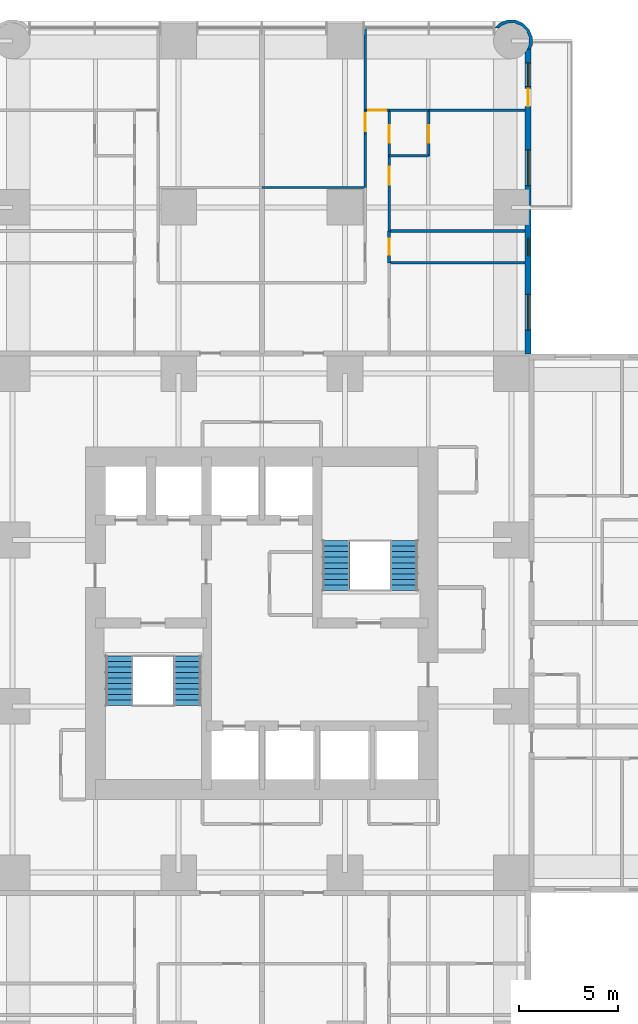
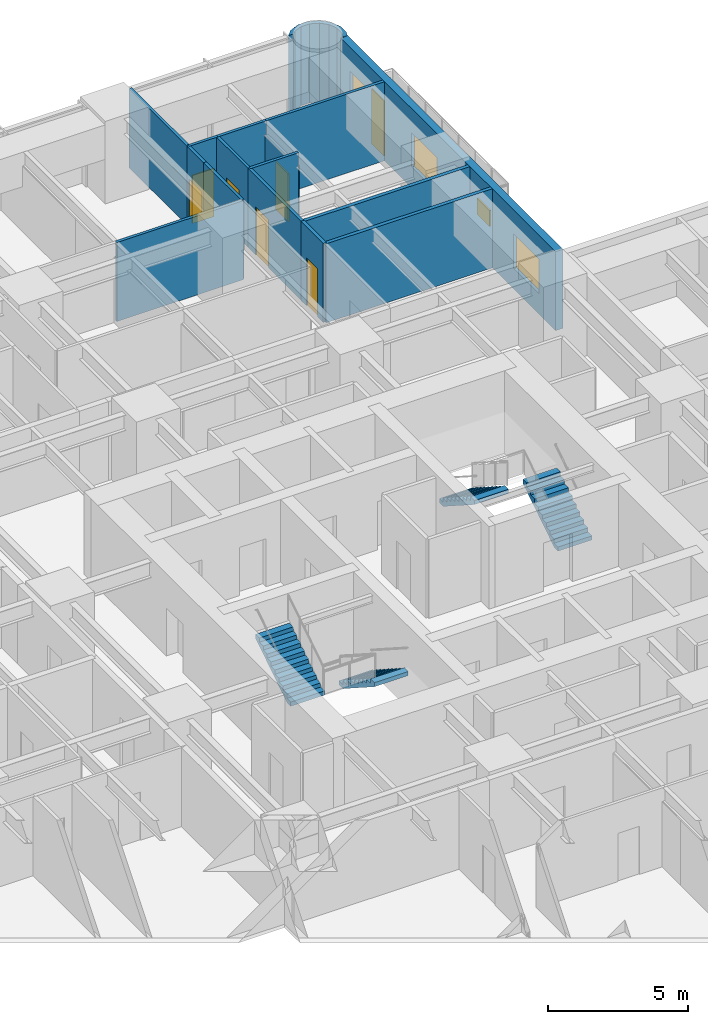
# One storey, part 15 of 17: 16 walls, 7 doors, 4 stair flights, 4 windows, 11 openings, 2 elements without a shape of their own.
"""IFC4 building model written with IfcOpenShell, lengths in metres."""

from ifc_helpers import new_model, si_unit, direction, frame, frame_2d, origin, place, context, subcontext, project, spatial, polyline, rectangle, outline, extrude, material, layer, layer_set, type_object, element, fill, aggregate, save


model = new_model("IFC4")

# Units and contexts
model_context = context("Model", 3, precision=1e-05, world=origin(), true_north=direction((0.0, 1.0)))
body_context = subcontext(model_context, "Body", "Model", "MODEL_VIEW")
ifc_project = project(units=[si_unit("LENGTHUNIT", "METRE"), si_unit("AREAUNIT", "SQUARE_METRE"), si_unit("VOLUMEUNIT", "CUBIC_METRE"), si_unit("PLANEANGLEUNIT", "RADIAN"), si_unit("MASSUNIT", "GRAM", prefix="KILO")], contexts=[model_context])

# Site, building, storey
site_placement = place(None, origin())
site = spatial("IfcSite", under=ifc_project, at=site_placement, CompositionType="ELEMENT")
building_placement = place(site_placement, origin())
building = spatial("IfcBuilding", under=site, at=building_placement, Name="Torre Alcanfor", CompositionType="ELEMENT")
storey_placement = place(building_placement, frame((0.0, 0.0, 56.10009765625)))
storey = spatial("IfcBuildingStorey", under=building, at=storey_placement, Name="L13", CompositionType="ELEMENT", Elevation=56.10009765625)

# Walls
ifc_material_1 = material(Name="Gypsum board on steel studs", Category="steel")
ifc_layer_1 = layer(ifc_material_1, 0.1201171875)
ifc_layer_set_1 = layer_set([ifc_layer_1], Name="Apartment partition 120")
wall_type_1 = type_object("IfcWallType", Name="Apartment partition 120", PredefinedType="PARTITIONING", material=ifc_layer_set_1)
wall_1_placement = place(storey_placement, frame((29.39990234375, 51.39990234375, 0.0), z_axis=(0.0, 0.0, 1.0), x_axis=(1.0, 0.0, 0.0)))
element("IfcWall", 1, at=wall_1_placement, inside=storey, type_object=wall_type_1, Name="Partition L13-N2-FAMILY / L13-N2-KITCHEN", PredefinedType="PARTITIONING", context=body_context, shape_type="SweptSolid", body=[
    extrude(rectangle(XDim=5.22900390625, YDim=0.1201171875, at=frame_2d((2.614501953125, 0.0))), origin(), (0.0, 0.0, 1.0), 3.449951171875),
])
wall_2_placement = place(storey_placement, frame((34.62890625, 54.10009765625, 0.0), z_axis=(0.0, 0.0, 1.0), x_axis=(0.0, -1.0, 0.0)))
element("IfcWall", 2, at=wall_2_placement, inside=storey, type_object=wall_type_1, Name="Partition L13-N2-KITCHEN / L13-N2-HALL", PredefinedType="PARTITIONING", context=body_context, shape_type="SweptSolid", body=[
    extrude(rectangle(XDim=2.7001953125, YDim=0.1201171875, at=frame_2d((1.35009765625, 0.0))), origin(), (0.0, 0.0, 1.0), 3.449951171875),
])

# Wall, opening, door
wall_3_placement = place(storey_placement, frame((34.62890625, 55.300048828125, 0.0), z_axis=(0.0, 0.0, 1.0), x_axis=(0.0, -1.0, 0.0)))
wall_3 = element("IfcWall", 3, at=wall_3_placement, inside=storey, type_object=wall_type_1, Name="Partition L13-N2-LIVING / L13-N2-HALL", PredefinedType="PARTITIONING", context=body_context, shape_type="SweptSolid", body=[
    extrude(rectangle(XDim=1.199951171875, YDim=0.1201171875, at=frame_2d((0.60009765625, 0.0))), origin(), (0.0, 0.0, 1.0), 3.449951171875),
])
opening_1_placement = place(wall_3_placement, frame((0.14990234375, 0.0, 0.0)))
opening_1 = element("IfcOpeningElement", 4, at=opening_1_placement, cuts=wall_3, Name="Opening D-R1", PredefinedType="OPENING", context=body_context, shape_type="SweptSolid", body=[
    extrude(rectangle(XDim=0.89990234375, YDim=2.10009765625, at=frame_2d((0.449951171875, 1.050048828125))), frame((0.0, 0.070068359375, 0.0), z_axis=(0.0, -1.0, 0.0), x_axis=(1.0, 0.0, 0.0)), (0.0, 0.0, 1.0), 0.14013671875),
])
ifc_material_2 = material(Name="Timber", Category="wood")
door_type_1 = type_object("IfcDoorType", Name="Internal door 900x2100", OperationType="SINGLE_SWING_LEFT", PredefinedType="DOOR", material=ifc_material_2)
door_1_placement = place(opening_1_placement, frame((0.89990234375, 0.0, 0.0), z_axis=(0.0, 0.0, 1.0), x_axis=(-1.0, 0.0, 0.0)))
door_1 = element("IfcDoor", 5, at=door_1_placement, inside=storey, type_object=door_type_1, Name="Door L13-N2 living", OperationType="SINGLE_SWING_LEFT", OverallHeight=2.10009765625, OverallWidth=0.89990234375, PredefinedType="DOOR", context=body_context, shape_type="SweptSolid", body=[
    extrude(rectangle(XDim=0.89990234375, YDim=2.10009765625, at=frame_2d((0.449951171875, 1.050048828125))), frame((0.0, 0.025146484375, 0.0), z_axis=(0.0, -1.0, 0.0), x_axis=(1.0, 0.0, 0.0)), (0.0, 0.0, 1.0), 0.050048828125),
])
fill(opening_1, door_1)

# Wall
wall_4_placement = place(storey_placement, frame((34.62890625, 59.449951171875, 0.0), z_axis=(0.0, 0.0, 1.0), x_axis=(0.0, -1.0, 0.0)))
element("IfcWall", 6, at=wall_4_placement, inside=storey, type_object=wall_type_1, Name="Partition L13-N2-LIVING / L13-N2-WGARD", PredefinedType="PARTITIONING", context=body_context, shape_type="SweptSolid", body=[
    extrude(rectangle(XDim=4.14990234375, YDim=0.1201171875, at=frame_2d((2.074951171875, 0.0))), origin(), (0.0, 0.0, 1.0), 3.449951171875),
])

# Wall, opening, door
wall_5_placement = place(storey_placement, frame((35.8291015625, 53.0, 0.0), z_axis=(0.0, 0.0, 1.0), x_axis=(0.0, -1.0, 0.0)))
wall_5 = element("IfcWall", 7, at=wall_5_placement, inside=storey, type_object=wall_type_1, Name="Partition L13-N2-HALL / L13-N2-MASTER", PredefinedType="PARTITIONING", context=body_context, shape_type="SweptSolid", body=[
    extrude(rectangle(XDim=3.800048828125, YDim=0.1201171875, at=frame_2d((1.89990234375, 0.0))), origin(), (0.0, 0.0, 1.0), 3.449951171875),
])
opening_2_placement = place(wall_5_placement, frame((0.550048828125, 0.0, 0.0)))
opening_2 = element("IfcOpeningElement", 8, at=opening_2_placement, cuts=wall_5, Name="Opening D-R1", PredefinedType="OPENING", context=body_context, shape_type="SweptSolid", body=[
    extrude(rectangle(XDim=0.89990234375, YDim=2.10009765625, at=frame_2d((0.449951171875, 1.050048828125))), frame((0.0, 0.070068359375, 0.0), z_axis=(0.0, -1.0, 0.0), x_axis=(1.0, 0.0, 0.0)), (0.0, 0.0, 1.0), 0.14013671875),
])
door_2_placement = place(opening_2_placement, origin())
door_2 = element("IfcDoor", 9, at=door_2_placement, inside=storey, type_object=door_type_1, Name="Door L13-N2 master", OperationType="SINGLE_SWING_LEFT", OverallHeight=2.10009765625, OverallWidth=0.89990234375, PredefinedType="DOOR", context=body_context, shape_type="SweptSolid", body=[
    extrude(rectangle(XDim=0.89990234375, YDim=2.10009765625, at=frame_2d((0.449951171875, 1.050048828125))), frame((0.0, 0.02490234375, 0.0), z_axis=(0.0, -1.0, 0.0), x_axis=(1.0, 0.0, 0.0)), (0.0, 0.0, 1.0), 0.050048828125),
])
fill(opening_2, door_2)

wall_6_placement = place(storey_placement, frame((35.8291015625, 55.300048828125, 0.0), z_axis=(0.0, 0.0, 1.0), x_axis=(0.0, -1.0, 0.0)))
wall_6 = element("IfcWall", 10, at=wall_6_placement, inside=storey, type_object=wall_type_1, Name="Partition L13-N2-HALL / L13-N2-VEST", PredefinedType="PARTITIONING", context=body_context, shape_type="SweptSolid", body=[
    extrude(rectangle(XDim=2.300048828125, YDim=0.1201171875, at=frame_2d((1.14990234375, 0.0))), origin(), (0.0, 0.0, 1.0), 3.449951171875),
])
opening_3_placement = place(wall_6_placement, frame((0.75, 0.0, 0.0)))
opening_3 = element("IfcOpeningElement", 11, at=opening_3_placement, cuts=wall_6, Name="Opening D-R1", PredefinedType="OPENING", context=body_context, shape_type="SweptSolid", body=[
    extrude(rectangle(XDim=0.89990234375, YDim=2.10009765625, at=frame_2d((0.449951171875, 1.050048828125))), frame((0.0, 0.070068359375, 0.0), z_axis=(0.0, -1.0, 0.0), x_axis=(1.0, 0.0, 0.0)), (0.0, 0.0, 1.0), 0.14013671875),
])
door_3_placement = place(opening_3_placement, origin())
door_3 = element("IfcDoor", 12, at=door_3_placement, inside=storey, type_object=door_type_1, Name="Door L13-N2 vest", OperationType="SINGLE_SWING_RIGHT", OverallHeight=2.10009765625, OverallWidth=0.89990234375, PredefinedType="DOOR", context=body_context, shape_type="SweptSolid", body=[
    extrude(rectangle(XDim=0.89990234375, YDim=2.10009765625, at=frame_2d((0.449951171875, 1.050048828125))), frame((0.0, 0.02490234375, 0.0), z_axis=(0.0, -1.0, 0.0), x_axis=(1.0, 0.0, 0.0)), (0.0, 0.0, 1.0), 0.050048828125),
])
fill(opening_3, door_3)

wall_7_placement = place(storey_placement, frame((34.62890625, 55.300048828125, 0.0), z_axis=(0.0, 0.0, 1.0), x_axis=(1.0, 0.0, 0.0)))
wall_7 = element("IfcWall", 13, at=wall_7_placement, inside=storey, type_object=wall_type_1, Name="Partition L13-N2-HALL / L13-N2-WGARD", PredefinedType="PARTITIONING", context=body_context, shape_type="SweptSolid", body=[
    extrude(rectangle(XDim=1.2001953125, YDim=0.1201171875, at=frame_2d((0.60009765625, 0.0))), origin(), (0.0, 0.0, 1.0), 3.449951171875),
])
opening_4_placement = place(wall_7_placement, frame((0.15087890625, 0.0, 0.0)))
opening_4 = element("IfcOpeningElement", 14, at=opening_4_placement, cuts=wall_7, Name="Opening D-R1", PredefinedType="OPENING", context=body_context, shape_type="SweptSolid", body=[
    extrude(rectangle(XDim=0.89990234375, YDim=2.10009765625, at=frame_2d((0.449951171875, 1.050048828125))), frame((0.0, 0.070068359375, 0.0), z_axis=(0.0, -1.0, 0.0), x_axis=(1.0, 0.0, 0.0)), (0.0, 0.0, 1.0), 0.14013671875),
])
door_4_placement = place(opening_4_placement, origin())
door_4 = element("IfcDoor", 15, at=door_4_placement, inside=storey, type_object=door_type_1, Name="Door L13-N2 wgard", OperationType="SINGLE_SWING_LEFT", OverallHeight=2.10009765625, OverallWidth=0.89990234375, PredefinedType="DOOR", context=body_context, shape_type="SweptSolid", body=[
    extrude(rectangle(XDim=0.89990234375, YDim=2.10009765625, at=frame_2d((0.449951171875, 1.050048828125))), frame((0.0, 0.02490234375, 0.0), z_axis=(0.0, -1.0, 0.0), x_axis=(1.0, 0.0, 0.0)), (0.0, 0.0, 1.0), 0.050048828125),
])
fill(opening_4, door_4)

# Wall
wall_8_placement = place(storey_placement, frame((35.8291015625, 53.0, 0.0), z_axis=(0.0, 0.0, 1.0), x_axis=(1.0, 0.0, 0.0)))
element("IfcWall", 16, at=wall_8_placement, inside=storey, type_object=wall_type_1, Name="Partition L13-N2-MASTER / L13-N2-VEST", PredefinedType="PARTITIONING", context=body_context, shape_type="SweptSolid", body=[
    extrude(rectangle(XDim=2.0, YDim=0.1201171875, at=frame_2d((1.0, 0.0))), origin(), (0.0, 0.0, 1.0), 3.449951171875),
])

# Wall, opening, door
wall_9_placement = place(storey_placement, frame((37.8291015625, 53.0, 0.0), z_axis=(0.0, 0.0, 1.0), x_axis=(0.0, 1.0, 0.0)))
wall_9 = element("IfcWall", 17, at=wall_9_placement, inside=storey, type_object=wall_type_1, Name="Partition L13-N2-MASTER / L13-N2-VEST", PredefinedType="PARTITIONING", context=body_context, shape_type="SweptSolid", body=[
    extrude(rectangle(XDim=2.300048828125, YDim=0.1201171875, at=frame_2d((1.14990234375, 0.0))), origin(), (0.0, 0.0, 1.0), 2.847900390625),
])
opening_5_placement = place(wall_9_placement, frame((0.64990234375, 0.0, 0.0)))
opening_5 = element("IfcOpeningElement", 18, at=opening_5_placement, cuts=wall_9, Name="Opening D-R1", PredefinedType="OPENING", context=body_context, shape_type="SweptSolid", body=[
    extrude(rectangle(XDim=0.89990234375, YDim=2.10009765625, at=frame_2d((0.449951171875, 1.050048828125))), frame((0.0, 0.070068359375, 0.0), z_axis=(0.0, -1.0, 0.0), x_axis=(1.0, 0.0, 0.0)), (0.0, 0.0, 1.0), 0.14013671875),
])
door_5_placement = place(opening_5_placement, origin())
door_5 = element("IfcDoor", 19, at=door_5_placement, inside=storey, type_object=door_type_1, Name="Door L13-N2 master", OperationType="SINGLE_SWING_LEFT", OverallHeight=2.10009765625, OverallWidth=0.89990234375, PredefinedType="DOOR", context=body_context, shape_type="SweptSolid", body=[
    extrude(rectangle(XDim=0.89990234375, YDim=2.10009765625, at=frame_2d((0.449951171875, 1.050048828125))), frame((0.0, 0.02490234375, 0.0), z_axis=(0.0, -1.0, 0.0), x_axis=(1.0, 0.0, 0.0)), (0.0, 0.0, 1.0), 0.050048828125),
])
fill(opening_5, door_5)

# Walls
wall_10_placement = place(storey_placement, frame((37.8291015625, 55.300048828125, 0.0), z_axis=(0.0, 0.0, 1.0), x_axis=(1.0, 0.0, 0.0)))
element("IfcWall", 20, at=wall_10_placement, inside=storey, type_object=wall_type_1, Name="Partition L13-N2-MASTER / L13-N2-WGARD", PredefinedType="PARTITIONING", context=body_context, shape_type="SweptSolid", body=[
    extrude(rectangle(XDim=4.870849609375, YDim=0.1201171875, at=frame_2d((2.435546875, 0.0))), origin(), (0.0, 0.0, 1.0), 3.449951171875),
])
wall_11_placement = place(storey_placement, frame((35.8291015625, 55.300048828125, 0.0), z_axis=(0.0, 0.0, 1.0), x_axis=(1.0, 0.0, 0.0)))
element("IfcWall", 21, at=wall_11_placement, inside=storey, type_object=wall_type_1, Name="Partition L13-N2-VEST / L13-N2-WGARD", PredefinedType="PARTITIONING", context=body_context, shape_type="SweptSolid", body=[
    extrude(rectangle(XDim=2.0, YDim=0.1201171875, at=frame_2d((1.0, 0.0))), origin(), (0.0, 0.0, 1.0), 3.449951171875),
])

# Wall, openings, door, windows
ifc_material_3 = material(Name="Limestone cladding", Category="masonry")
ifc_layer_2 = layer(ifc_material_3, 0.0400390625, Name="Facing")
ifc_material_4 = material(Name="Ventilated air cavity")
ifc_layer_3 = layer(ifc_material_4, 0.02001953125, ventilated=True, Name="Ventilated joint")
ifc_material_5 = material(Name="Mineral wool insulation", Category="insulation")
ifc_layer_4 = layer(ifc_material_5, 0.10009765625, Name="Insulation")
ifc_material_6 = material(Name="Concrete f'c 35 MPa", Category="concrete")
ifc_layer_5 = layer(ifc_material_6, 0.139892578125, Name="Backing")
ifc_layer_set_2 = layer_set([ifc_layer_2, ifc_layer_3, ifc_layer_4, ifc_layer_5], Name="External wall stone-clad 300")
wall_type_2 = type_object("IfcWallType", Name="External wall stone-clad 300", PredefinedType="SOLIDWALL", material=ifc_layer_set_2)
wall_12_placement = place(storey_placement, frame((42.85009765625, 43.0, 0.0), z_axis=(0.0, 0.0, 1.0), x_axis=(0.0, 1.0, 0.0)))
wall_12 = element("IfcWall", 22, at=wall_12_placement, inside=storey, type_object=wall_type_2, Name="External wall L13 10", PredefinedType="SOLIDWALL", context=body_context, shape_type="SweptSolid", body=[
    extrude(rectangle(XDim=15.39990234375, YDim=0.300048828125, at=frame_2d((7.699951171875, 0.0))), origin(), (0.0, 0.0, 1.0), 3.449951171875),
])
opening_6_placement = place(wall_12_placement, frame((1.199951171875, 0.0, 0.89990234375)))
opening_6 = element("IfcOpeningElement", 23, at=opening_6_placement, cuts=wall_12, Name="Opening W2", PredefinedType="OPENING", context=body_context, shape_type="SweptSolid", body=[
    extrude(rectangle(XDim=1.800048828125, YDim=1.5, at=frame_2d((0.89990234375, 0.75))), frame((0.0, 0.159912109375, 0.0), z_axis=(0.0, -1.0, 0.0), x_axis=(1.0, 0.0, 0.0)), (0.0, 0.0, 1.0), 0.320068359375),
])
opening_7_placement = place(wall_12_placement, frame((4.949951171875, 0.0, 1.5)))
opening_7 = element("IfcOpeningElement", 24, at=opening_7_placement, cuts=wall_12, Name="Opening W3", PredefinedType="OPENING", context=body_context, shape_type="SweptSolid", body=[
    extrude(rectangle(XDim=0.89990234375, YDim=0.699951171875, at=frame_2d((0.449951171875, 0.35009765625))), frame((0.0, 0.159912109375, 0.0), z_axis=(0.0, -1.0, 0.0), x_axis=(1.0, 0.0, 0.0)), (0.0, 0.0, 1.0), 0.320068359375),
])
opening_8_placement = place(wall_12_placement, frame((8.5, 0.0, 0.89990234375)))
opening_8 = element("IfcOpeningElement", 25, at=opening_8_placement, cuts=wall_12, Name="Opening W2", PredefinedType="OPENING", context=body_context, shape_type="SweptSolid", body=[
    extrude(rectangle(XDim=1.800048828125, YDim=1.5, at=frame_2d((0.89990234375, 0.75))), frame((0.0, 0.159912109375, 0.0), z_axis=(0.0, -1.0, 0.0), x_axis=(1.0, 0.0, 0.0)), (0.0, 0.0, 1.0), 0.320068359375),
])
opening_9_placement = place(wall_12_placement, frame((12.5, 0.0, 0.0)))
opening_9 = element("IfcOpeningElement", 26, at=opening_9_placement, cuts=wall_12, Name="Opening D-B1", PredefinedType="OPENING", context=body_context, shape_type="SweptSolid", body=[
    extrude(rectangle(XDim=0.89990234375, YDim=2.39990234375, at=frame_2d((0.449951171875, 1.199951171875))), frame((0.0, 0.159912109375, 0.0), z_axis=(0.0, -1.0, 0.0), x_axis=(1.0, 0.0, 0.0)), (0.0, 0.0, 1.0), 0.320068359375),
])
opening_10_placement = place(wall_12_placement, frame((13.5, 0.0, 0.89990234375)))
opening_10 = element("IfcOpeningElement", 27, at=opening_10_placement, cuts=wall_12, Name="Opening W4", PredefinedType="OPENING", context=body_context, shape_type="SweptSolid", body=[
    extrude(rectangle(XDim=1.199951171875, YDim=1.5, at=frame_2d((0.60009765625, 0.75))), frame((0.0, 0.159912109375, 0.0), z_axis=(0.0, -1.0, 0.0), x_axis=(1.0, 0.0, 0.0)), (0.0, 0.0, 1.0), 0.320068359375),
])
ifc_material_7 = material(Name="Aluminium and glass", Category="aluminium")
door_type_2 = type_object("IfcDoorType", Name="Balcony door glazed 900x2400", OperationType="SINGLE_SWING_LEFT", PredefinedType="DOOR", material=ifc_material_7)
door_6_placement = place(opening_9_placement, origin())
door_6 = element("IfcDoor", 28, at=door_6_placement, inside=storey, type_object=door_type_2, Name="Balcony door L13-N2", OperationType="SINGLE_SWING_LEFT", OverallHeight=2.39990234375, OverallWidth=0.89990234375, PredefinedType="DOOR", context=body_context, shape_type="SweptSolid", body=[
    extrude(rectangle(XDim=0.89990234375, YDim=2.39990234375, at=frame_2d((0.449951171875, 1.199951171875))), frame((0.0, 0.02490234375, 0.0), z_axis=(0.0, -1.0, 0.0), x_axis=(1.0, 0.0, 0.0)), (0.0, 0.0, 1.0), 0.050048828125),
])
fill(opening_9, door_6)
ifc_material_8 = material(Name="Aluminium frame with clear double glazing", Category="aluminium")
window_type_1 = type_object("IfcWindowType", Name="Window bathroom 900x700", PartitioningType="SINGLE_PANEL", PredefinedType="WINDOW", material=ifc_material_8)
window_1_placement = place(opening_7_placement, origin())
window_1 = element("IfcWindow", 29, at=window_1_placement, inside=storey, type_object=window_type_1, Name="Window W3 L13-N2", OverallHeight=0.699951171875, OverallWidth=0.89990234375, PartitioningType="SINGLE_PANEL", PredefinedType="WINDOW", context=body_context, shape_type="SweptSolid", body=[
    extrude(rectangle(XDim=0.89990234375, YDim=0.699951171875, at=frame_2d((0.449951171875, 0.35009765625))), frame((0.0, 0.030029296875, 0.0), z_axis=(0.0, -1.0, 0.0), x_axis=(1.0, 0.0, 0.0)), (0.0, 0.0, 1.0), 0.06005859375),
])
fill(opening_7, window_1)
ifc_material_9 = material(Name="Aluminium frame with clear double glazing", Category="aluminium")
window_type_2 = type_object("IfcWindowType", Name="Window bedroom 1200x1500", PartitioningType="SINGLE_PANEL", PredefinedType="WINDOW", material=ifc_material_9)
window_2_placement = place(opening_10_placement, origin())
window_2 = element("IfcWindow", 30, at=window_2_placement, inside=storey, type_object=window_type_2, Name="Window W4 L13-N2", OverallHeight=1.5, OverallWidth=1.199951171875, PartitioningType="SINGLE_PANEL", PredefinedType="WINDOW", context=body_context, shape_type="SweptSolid", body=[
    extrude(rectangle(XDim=1.199951171875, YDim=1.5, at=frame_2d((0.60009765625, 0.75))), frame((0.0, 0.030029296875, 0.0), z_axis=(0.0, -1.0, 0.0), x_axis=(1.0, 0.0, 0.0)), (0.0, 0.0, 1.0), 0.06005859375),
])
fill(opening_10, window_2)
ifc_material_10 = material(Name="Aluminium frame with clear double glazing", Category="aluminium")
window_type_3 = type_object("IfcWindowType", Name="Window bedroom 1800x1500", PartitioningType="SINGLE_PANEL", PredefinedType="WINDOW", material=ifc_material_10)
window_3_placement = place(opening_6_placement, origin())
window_3 = element("IfcWindow", 31, at=window_3_placement, inside=storey, type_object=window_type_3, Name="Window W2 L13-N2", OverallHeight=1.5, OverallWidth=1.800048828125, PartitioningType="SINGLE_PANEL", PredefinedType="WINDOW", context=body_context, shape_type="SweptSolid", body=[
    extrude(rectangle(XDim=1.800048828125, YDim=1.5, at=frame_2d((0.89990234375, 0.75))), frame((0.0, 0.030029296875, 0.0), z_axis=(0.0, -1.0, 0.0), x_axis=(1.0, 0.0, 0.0)), (0.0, 0.0, 1.0), 0.06005859375),
])
fill(opening_6, window_3)
window_4_placement = place(opening_8_placement, origin())
window_4 = element("IfcWindow", 32, at=window_4_placement, inside=storey, type_object=window_type_3, Name="Window W2 L13-N2", OverallHeight=1.5, OverallWidth=1.800048828125, PartitioningType="SINGLE_PANEL", PredefinedType="WINDOW", context=body_context, shape_type="SweptSolid", body=[
    extrude(rectangle(XDim=1.800048828125, YDim=1.5, at=frame_2d((0.89990234375, 0.75))), frame((0.0, 0.030029296875, 0.0), z_axis=(0.0, -1.0, 0.0), x_axis=(1.0, 0.0, 0.0)), (0.0, 0.0, 1.0), 0.06005859375),
])
fill(opening_8, window_4)

# Wall
ifc_layer_6 = layer(ifc_material_3, 0.0400390625, Name="Facing")
ifc_layer_7 = layer(ifc_material_4, 0.02001953125, ventilated=True, Name="Ventilated joint")
ifc_layer_8 = layer(ifc_material_5, 0.10009765625, Name="Insulation")
ifc_layer_9 = layer(ifc_material_6, 0.139892578125, Name="Backing")
ifc_layer_set_3 = layer_set([ifc_layer_6, ifc_layer_7, ifc_layer_8, ifc_layer_9], Name="Rounded corner pier stone-clad 300")
wall_type_3 = type_object("IfcWallType", Name="Rounded corner pier stone-clad 300", PredefinedType="SOLIDWALL", material=ifc_layer_set_3)
wall_13_placement = place(storey_placement, frame((42.909907157, 58.436037137, 0.0), z_axis=(0.0, 0.0, 1.0), x_axis=(0.377204953059, 0.926129809145, 0.0)))
element("IfcWall", 33, at=wall_13_placement, inside=storey, type_object=wall_type_3, Name="Corner pier L13 19", PredefinedType="SOLIDWALL", context=body_context, shape_type="SweptSolid", body=[
    extrude(outline(polyline([(0.7691852559267269, 1.7275655888693722), (0.7500837815089341, 1.7226854696447296), (0.5995184426781746, 1.8748886632921522), (0.2945936606603473, 2.0035010026328943), (0.2810273060341947, 1.997975539453316), (0.36031770266114094, 1.803298350568026), (0.5085974876189833, 1.7408474269996308), (0.7606365681954048, 1.4857768783201941), (0.8958262339890831, 1.1538534018003268), (0.8937222712355792, 0.7952725095567933), (0.7546148492098406, 0.46498406151765126), (0.499678315387847, 0.21326317790465843), (0.16775483886797962, 0.07807351211098004), (-0.09987659960761772, 0.07952365190173498), (0.0005179574386563676, -0.09706789048462287), (0.030062934124933945, -0.08028941878374739), (0.19840443706273136, -0.08131937838229769), (0.5888893443854909, 0.07772187013655965), (0.888882191412798, 0.3741551975114527), (1.0524222412975957, 0.7628997957685094), (1.0551270334293679, 1.1847291059055145), (0.8961778759635035, 1.5749879073178383), (0.7777318237989179, 1.6949314401857838), (0.7691852559267269, 1.7275655888693722)])), origin(), (0.0, 0.0, 1.0), 3.449951171875),
])

# Wall, opening, door
ifc_material_11 = material(Name="Cement board on steel studs", Category="steel")
ifc_layer_10 = layer(ifc_material_11, 0.14990234375)
ifc_layer_set_4 = layer_set([ifc_layer_10], Name="Wet area partition 150")
wall_type_4 = type_object("IfcWallType", Name="Wet area partition 150", PredefinedType="PARTITIONING", material=ifc_layer_set_4)
wall_14_placement = place(storey_placement, frame((35.8291015625, 49.199951171875, 0.0), z_axis=(0.0, 0.0, 1.0), x_axis=(0.0, -1.0, 0.0)))
wall_14 = element("IfcWall", 34, at=wall_14_placement, inside=storey, type_object=wall_type_4, Name="Partition L13-N2-HALL / L13-N2-BATH1", PredefinedType="PARTITIONING", context=body_context, shape_type="SweptSolid", body=[
    extrude(rectangle(XDim=1.599853515625, YDim=0.14990234375, at=frame_2d((0.7998046875, 0.0))), origin(), (0.0, 0.0, 1.0), 3.449951171875),
])
opening_11_placement = place(wall_14_placement, frame((0.39990234375, 0.0, 0.0)))
opening_11 = element("IfcOpeningElement", 35, at=opening_11_placement, cuts=wall_14, Name="Opening D-R2", PredefinedType="OPENING", context=body_context, shape_type="SweptSolid", body=[
    extrude(rectangle(XDim=0.800048828125, YDim=2.10009765625, at=frame_2d((0.39990234375, 1.050048828125))), frame((0.0, 0.0849609375, 0.0), z_axis=(0.0, -1.0, 0.0), x_axis=(1.0, 0.0, 0.0)), (0.0, 0.0, 1.0), 0.169921875),
])
ifc_material_12 = material(Name="Timber", Category="wood")
door_type_3 = type_object("IfcDoorType", Name="Bathroom door 800x2100", OperationType="SINGLE_SWING_LEFT", PredefinedType="DOOR", material=ifc_material_12)
door_7_placement = place(opening_11_placement, origin())
door_7 = element("IfcDoor", 36, at=door_7_placement, inside=storey, type_object=door_type_3, Name="Door L13-N2 bath1", OperationType="SINGLE_SWING_LEFT", OverallHeight=2.10009765625, OverallWidth=0.800048828125, PredefinedType="DOOR", context=body_context, shape_type="SweptSolid", body=[
    extrude(rectangle(XDim=0.800048828125, YDim=2.10009765625, at=frame_2d((0.39990234375, 1.050048828125))), frame((0.0, 0.02490234375, 0.0), z_axis=(0.0, -1.0, 0.0), x_axis=(1.0, 0.0, 0.0)), (0.0, 0.0, 1.0), 0.050048828125),
])
fill(opening_11, door_7)

# Walls
for number, where, z_axis, x_axis, name in (
    (37, (35.8291015625, 47.60009765625, 0.0), (0.0, 0.0, 1.0), (1.0, 0.0, 0.0), "Partition L13-N2-BED2 / L13-N2-BATH1"),
    (38, (35.8291015625, 49.199951171875, 0.0), (0.0, 0.0, 1.0), (1.0, 0.0, 0.0), "Partition L13-N2-BATH1 / L13-N2-MASTER"),
):
    element("IfcWall", number, at=place(storey_placement, frame(where, z_axis=z_axis, x_axis=x_axis)), inside=storey, type_object=wall_type_4, Name=name, PredefinedType="PARTITIONING", context=body_context, shape_type="SweptSolid", body=[
        extrude(rectangle(XDim=6.870849609375, YDim=0.14990234375, at=frame_2d((3.435546875, 0.0))), origin(), (0.0, 0.0, 1.0), 3.449951171875),
    ])

# Stair, stair flights
ifc_material_13 = material(Name="Concrete f'c 35 MPa", Category="concrete")
stair_type_1 = type_object("IfcStairType", Name="Exit stair S1 1400 wide", PredefinedType="HALF_TURN_STAIR", material=ifc_material_13)
stair_1_placement = place(storey_placement, origin())
stair_1 = element("IfcStair", 39, at=stair_1_placement, inside=storey, type_object=stair_type_1, Name="Stair S1 L13 to L14", PredefinedType="HALF_TURN_STAIR")
ifc_material_14 = material(Name="Concrete f'c 35 MPa", Category="concrete")
stair_flight_type = type_object("IfcStairFlightType", Name="Stair flight 1400", PredefinedType="STRAIGHT", material=ifc_material_14)
stair_flight_1_placement = place(storey_placement, frame((25.64990234375, 27.75, 0.0), z_axis=(0.0, 0.0, 1.0), x_axis=(0.0, -1.0, 0.0)))
stair_flight_1 = element("IfcStairFlight", 40, at=stair_flight_1_placement, type_object=stair_flight_type, Name="S1 flight 1", NumberOfRisers=10, NumberOfTreads=9, PredefinedType="STRAIGHT", RiserHeight=0.18, TreadLength=0.28, context=body_context, shape_type="SweptSolid", body=[
    extrude(outline(polyline([(0.0, 0.0), (0.0, 0.179931640625), (0.280029296875, 0.179931640625), (0.280029296875, 0.360107421875), (0.56005859375, 0.360107421875), (0.56005859375, 0.5400390625), (0.840087890625, 0.5400390625), (0.840087890625, 0.719970703125), (1.1201171875, 0.719970703125), (1.1201171875, 0.89990234375), (1.39990234375, 0.89990234375), (1.39990234375, 1.080078125), (1.679931640625, 1.080078125), (1.679931640625, 1.260009765625), (1.9599609375, 1.260009765625), (1.9599609375, 1.43994140625), (2.239990234375, 1.43994140625), (2.239990234375, 1.6201171875), (2.52001953125, 1.6201171875), (2.52001953125, 1.800048828125), (2.52001953125, 1.44189453125), (0.277099609375, 0.0), (0.0, 0.0)])), frame((0.0, 0.699951171875, 0.0), z_axis=(0.0, -1.0, 0.0), x_axis=(1.0, 0.0, 0.0)), (0.0, 0.0, 1.0), 1.39990234375),
])
stair_flight_2_placement = place(storey_placement, frame((22.199951171875, 25.22998046875, 1.7998046875), z_axis=(0.0, 0.0, 1.0), x_axis=(0.0, 1.0, 0.0)))
stair_flight_2 = element("IfcStairFlight", 41, at=stair_flight_2_placement, type_object=stair_flight_type, Name="S1 flight 2", NumberOfRisers=10, NumberOfTreads=9, PredefinedType="STRAIGHT", RiserHeight=0.18, TreadLength=0.28, context=body_context, shape_type="SweptSolid", body=[
    extrude(outline(polyline([(0.0, 0.0), (0.0, 0.179931640625), (0.280029296875, 0.179931640625), (0.280029296875, 0.360107421875), (0.56005859375, 0.360107421875), (0.56005859375, 0.5400390625), (0.840087890625, 0.5400390625), (0.840087890625, 0.719970703125), (1.1201171875, 0.719970703125), (1.1201171875, 0.89990234375), (1.39990234375, 0.89990234375), (1.39990234375, 1.080078125), (1.679931640625, 1.080078125), (1.679931640625, 1.260009765625), (1.9599609375, 1.260009765625), (1.9599609375, 1.43994140625), (2.239990234375, 1.43994140625), (2.239990234375, 1.6201171875), (2.52001953125, 1.6201171875), (2.52001953125, 1.800048828125), (2.52001953125, 1.44189453125), (0.277099609375, 0.0), (0.0, 0.0)])), frame((0.0, 0.699951171875, 0.0), z_axis=(0.0, -1.0, 0.0), x_axis=(1.0, 0.0, 0.0)), (0.0, 0.0, 1.0), 1.39990234375),
])
aggregate(stair_1, [stair_flight_1, stair_flight_2])

ifc_material_15 = material(Name="Concrete f'c 35 MPa", Category="concrete")
stair_type_2 = type_object("IfcStairType", Name="Exit stair S2 1400 wide", PredefinedType="HALF_TURN_STAIR", material=ifc_material_15)
stair_2_placement = place(storey_placement, origin())
stair_2 = element("IfcStair", 42, at=stair_2_placement, inside=storey, type_object=stair_type_2, Name="Stair S2 L13 to L14", PredefinedType="HALF_TURN_STAIR")
stair_flight_3_placement = place(storey_placement, frame((36.60009765625, 31.050048828125, 0.0), z_axis=(0.0, 0.0, 1.0), x_axis=(0.0, 1.0, 0.0)))
stair_flight_3 = element("IfcStairFlight", 43, at=stair_flight_3_placement, type_object=stair_flight_type, Name="S2 flight 1", NumberOfRisers=10, NumberOfTreads=9, PredefinedType="STRAIGHT", RiserHeight=0.18, TreadLength=0.28, context=body_context, shape_type="SweptSolid", body=[
    extrude(outline(polyline([(0.0, 0.0), (0.0, 0.179931640625), (0.280029296875, 0.179931640625), (0.280029296875, 0.360107421875), (0.56005859375, 0.360107421875), (0.56005859375, 0.5400390625), (0.840087890625, 0.5400390625), (0.840087890625, 0.719970703125), (1.1201171875, 0.719970703125), (1.1201171875, 0.89990234375), (1.39990234375, 0.89990234375), (1.39990234375, 1.080078125), (1.679931640625, 1.080078125), (1.679931640625, 1.260009765625), (1.9599609375, 1.260009765625), (1.9599609375, 1.43994140625), (2.239990234375, 1.43994140625), (2.239990234375, 1.6201171875), (2.52001953125, 1.6201171875), (2.52001953125, 1.800048828125), (2.52001953125, 1.44189453125), (0.277099609375, 0.0), (0.0, 0.0)])), frame((0.0, 0.699951171875, 0.0), z_axis=(0.0, -1.0, 0.0), x_axis=(1.0, 0.0, 0.0)), (0.0, 0.0, 1.0), 1.39990234375),
])
stair_flight_4_placement = place(storey_placement, frame((33.14990234375, 33.570068359375, 1.7998046875), z_axis=(0.0, 0.0, 1.0), x_axis=(0.0, -1.0, 0.0)))
stair_flight_4 = element("IfcStairFlight", 44, at=stair_flight_4_placement, type_object=stair_flight_type, Name="S2 flight 2", NumberOfRisers=10, NumberOfTreads=9, PredefinedType="STRAIGHT", RiserHeight=0.18, TreadLength=0.28, context=body_context, shape_type="SweptSolid", body=[
    extrude(outline(polyline([(0.0, 0.0), (0.0, 0.179931640625), (0.280029296875, 0.179931640625), (0.280029296875, 0.360107421875), (0.56005859375, 0.360107421875), (0.56005859375, 0.5400390625), (0.840087890625, 0.5400390625), (0.840087890625, 0.719970703125), (1.1201171875, 0.719970703125), (1.1201171875, 0.89990234375), (1.39990234375, 0.89990234375), (1.39990234375, 1.080078125), (1.679931640625, 1.080078125), (1.679931640625, 1.260009765625), (1.9599609375, 1.260009765625), (1.9599609375, 1.43994140625), (2.239990234375, 1.43994140625), (2.239990234375, 1.6201171875), (2.52001953125, 1.6201171875), (2.52001953125, 1.800048828125), (2.52001953125, 1.44189453125), (0.277099609375, 0.0), (0.0, 0.0)])), frame((0.0, 0.699951171875, 0.0), z_axis=(0.0, -1.0, 0.0), x_axis=(1.0, 0.0, 0.0)), (0.0, 0.0, 1.0), 1.39990234375),
])
aggregate(stair_2, [stair_flight_3, stair_flight_4])

save(model, "model.ifc")
